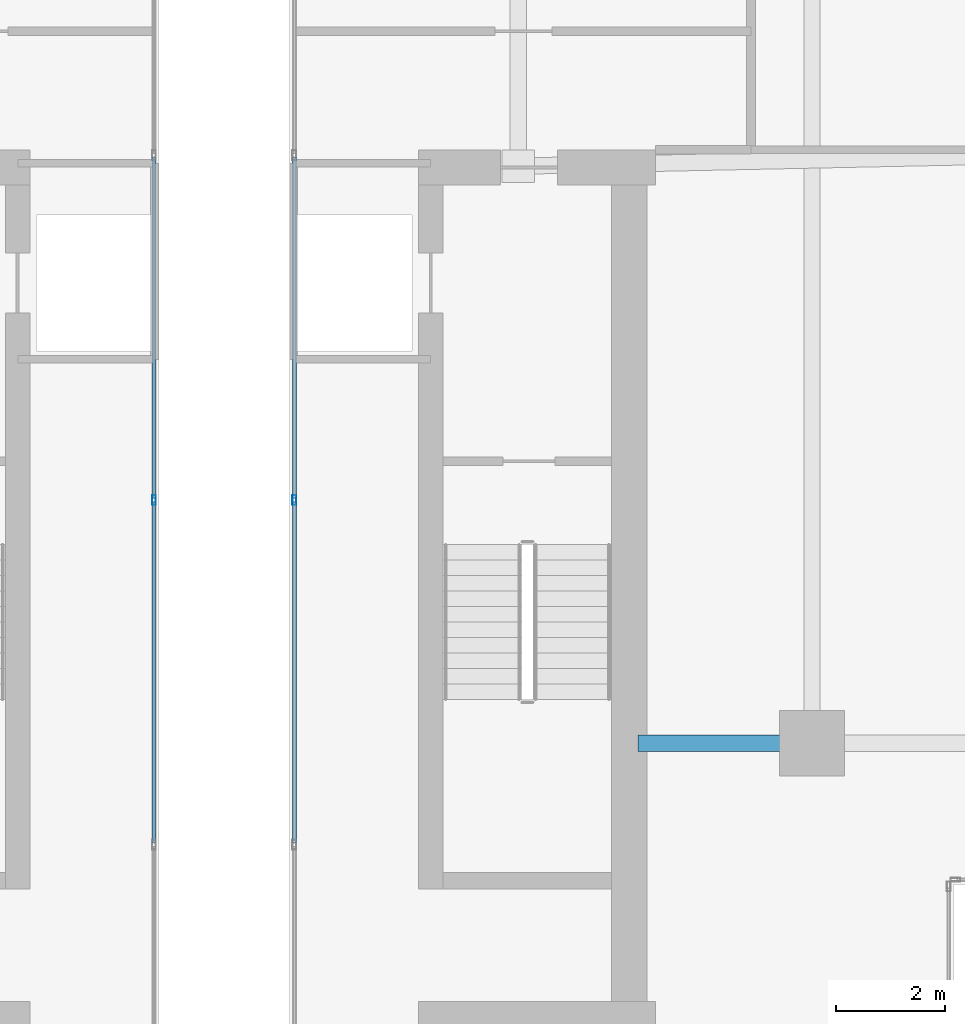
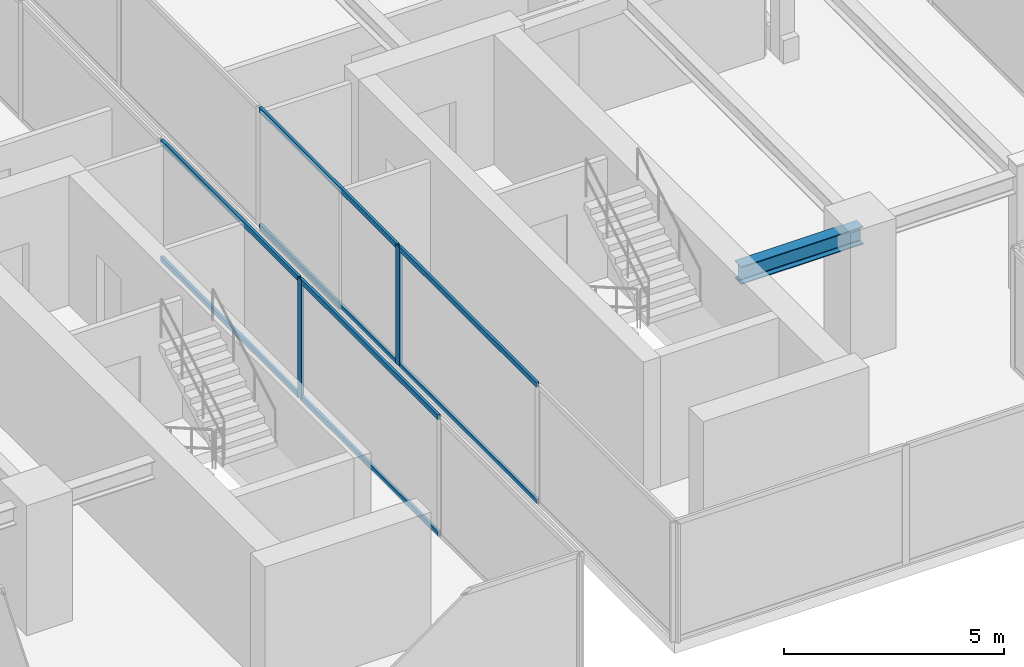
# One storey, part 6 of 25: 10 members, 1 beam, 2 elements without a shape of their own.
"""IFC4 building model written with IfcOpenShell, lengths in metres."""

from ifc_helpers import new_model, si_unit, direction, frame, origin, origin_2d, place, context, subcontext, project, spatial, hollow_rectangle, i_section, extrude, source, transform, mapped, material, material_profile, profile_set, type_object, type_shapes, element, aggregate, save


model = new_model("IFC4")

# Units and contexts
model_context = context("Model", 3, precision=1e-05, world=origin(), true_north=direction((0.0, 1.0)))
body_context = subcontext(model_context, "Body", "Model", "MODEL_VIEW")
ifc_project = project(units=[si_unit("LENGTHUNIT", "METRE"), si_unit("AREAUNIT", "SQUARE_METRE"), si_unit("VOLUMEUNIT", "CUBIC_METRE"), si_unit("PLANEANGLEUNIT", "RADIAN"), si_unit("MASSUNIT", "GRAM", prefix="KILO")], contexts=[model_context])

# Site, building, storey
site_placement = place(None, origin())
site = spatial("IfcSite", under=ifc_project, at=site_placement, CompositionType="ELEMENT")
building_placement = place(site_placement, origin())
building = spatial("IfcBuilding", under=site, at=building_placement, Name="Krantzveldt Concourse Tower", CompositionType="ELEMENT")
storey_placement = place(building_placement, frame((0.0, 0.0, 374.64990234375)))
storey = spatial("IfcBuildingStorey", under=building, at=storey_placement, Name="L92", CompositionType="ELEMENT", Elevation=374.64990234375)

# Beam
ifc_material_1 = material(Name="Steel S355JR", Category="steel")
ifc_material_profile_1 = material_profile(ifc_material_1, i_section(OverallWidth=0.300048828125, OverallDepth=0.489990234375, WebThickness=0.011962890625, FlangeThickness=0.02294921875, FilletRadius=0.027099609375, at=origin_2d()), Name="Steel S355JR", Category="steel")
ifc_profile_set_1 = profile_set([ifc_material_profile_1], Name="Steel S355JR - HEA 500")
beam_type = type_object("IfcBeamType", Name="BM-B-HEA500", PredefinedType="BEAM", material=ifc_profile_set_1)
shared_shape_1 = source(origin(), body_context, "Body", "SweptSolid", [
    extrude(i_section(OverallWidth=0.300048828125, OverallDepth=0.489990234375, WebThickness=0.011962890625, FlangeThickness=0.02294921875, FilletRadius=0.027099609375, at=origin_2d()), origin(), (0.0, 0.0, 1.0), 3.199951171875),
])
type_shapes(beam_type, [shared_shape_1])
beam_placement = place(storey_placement, frame((46.800048828125, 15.89990234375, 3.05517578125), z_axis=(-1.0, 0.0, 0.0), x_axis=(0.0, -1.0, 0.0)))
element("IfcBeam", 1, at=beam_placement, inside=storey, type_object=beam_type, Name="L92 Crown Girder EAST-7", PredefinedType="BEAM", context=body_context, shape_type="MappedRepresentation", body=[
    mapped(shared_shape_1, transform((0.0, 0.0, 0.0), x_axis=(1.0, 0.0, 0.0), y_axis=(0.0, 1.0, 0.0), z_axis=(0.0, 0.0, 1.0), scale=1.0)),
])

# Curtain wall, members
ifc_material_2 = material(Name="Anodised aluminium 6063-T6", Category="aluminium")
curtain_wall_type = type_object("IfcCurtainWallType", Name="CW7", PredefinedType="USERDEFINED", material=ifc_material_2)
curtain_wall_1_placement = place(storey_placement, origin())
curtain_wall_1 = element("IfcCurtainWall", 2, at=curtain_wall_1_placement, inside=storey, type_object=curtain_wall_type, Name="CW-L92-WEST-01", ObjectType="UNITISED CURTAIN WALL", PredefinedType="USERDEFINED")
ifc_material_profile_2 = material_profile(ifc_material_2, hollow_rectangle(XDim=0.070068359375, YDim=0.139892578125, WallThickness=0.0048828125, at=origin_2d()), Name="Anodised aluminium 6063-T6", Category="aluminium")
ifc_profile_set_2 = profile_set([ifc_material_profile_2], Name="Anodised aluminium 6063-T6 - ALU-TRAN 140x70x5")
member_type_1 = type_object("IfcMemberType", Name="CW-TRN-150", PredefinedType="USERDEFINED", material=ifc_profile_set_2)
shared_shape_2 = source(origin(), body_context, "Body", "SweptSolid", [
    extrude(hollow_rectangle(XDim=0.070068359375, YDim=0.139892578125, WallThickness=0.0048828125, at=origin_2d()), origin(), (0.0, 0.0, 1.0), 6.263427734375),
])
type_shapes(member_type_1, [shared_shape_2])
member_1_placement = place(storey_placement, frame((34.7099609375, 14.068359375, 0.03515625), z_axis=(0.0, 1.0, 0.0), x_axis=(-1.0, 0.0, 0.0)))
member_1 = element("IfcMember", 3, at=member_1_placement, type_object=member_type_1, Name="CW-CRN transom 2.1", ObjectType="TRANSOM", PredefinedType="USERDEFINED", context=body_context, shape_type="MappedRepresentation", body=[
    mapped(shared_shape_2, transform((0.0, 0.0, 0.0), x_axis=(1.0, 0.0, 0.0), y_axis=(0.0, 1.0, 0.0), z_axis=(0.0, 0.0, 1.0), scale=1.0)),
])
member_2_placement = place(storey_placement, frame((34.7099609375, 14.068359375, 3.26513671875), z_axis=(0.0, 1.0, 0.0), x_axis=(-1.0, 0.0, 0.0)))
member_2 = element("IfcMember", 4, at=member_2_placement, type_object=member_type_1, Name="CW-CRN transom 2.2", ObjectType="TRANSOM", PredefinedType="USERDEFINED", context=body_context, shape_type="MappedRepresentation", body=[
    mapped(shared_shape_2, transform((0.0, 0.0, 0.0), x_axis=(1.0, 0.0, 0.0), y_axis=(0.0, 1.0, 0.0), z_axis=(0.0, 0.0, 1.0), scale=1.0)),
])
member_3_placement = place(storey_placement, frame((34.7099609375, 20.401611328125, 0.03515625), z_axis=(0.0, 1.0, 0.0), x_axis=(-1.0, 0.0, 0.0)))
member_3 = element("IfcMember", 5, at=member_3_placement, type_object=member_type_1, Name="CW-CRN transom 3.1", ObjectType="TRANSOM", PredefinedType="USERDEFINED", context=body_context, shape_type="MappedRepresentation", body=[
    mapped(shared_shape_2, transform((0.0, 0.0, 0.0), x_axis=(1.0, 0.0, 0.0), y_axis=(0.0, 1.0, 0.0), z_axis=(0.0, 0.0, 1.0), scale=1.0)),
])
member_4_placement = place(storey_placement, frame((34.7099609375, 20.401611328125, 3.26513671875), z_axis=(0.0, 1.0, 0.0), x_axis=(-1.0, 0.0, 0.0)))
member_4 = element("IfcMember", 6, at=member_4_placement, type_object=member_type_1, Name="CW-CRN transom 3.2", ObjectType="TRANSOM", PredefinedType="USERDEFINED", context=body_context, shape_type="MappedRepresentation", body=[
    mapped(shared_shape_2, transform((0.0, 0.0, 0.0), x_axis=(1.0, 0.0, 0.0), y_axis=(0.0, 1.0, 0.0), z_axis=(0.0, 0.0, 1.0), scale=1.0)),
])

curtain_wall_2_placement = place(storey_placement, origin())
curtain_wall_2 = element("IfcCurtainWall", 7, at=curtain_wall_2_placement, inside=storey, type_object=curtain_wall_type, Name="CW-L92-EAST-07", ObjectType="UNITISED CURTAIN WALL", PredefinedType="USERDEFINED")
member_5_placement = place(storey_placement, frame((37.2900390625, 26.6650390625, 0.03515625), z_axis=(0.0, -1.0, 0.0), x_axis=(1.0, 0.0, 0.0)))
member_5 = element("IfcMember", 8, at=member_5_placement, type_object=member_type_1, Name="CW-CRN transom 4.1", ObjectType="TRANSOM", PredefinedType="USERDEFINED", context=body_context, shape_type="MappedRepresentation", body=[
    mapped(shared_shape_2, transform((0.0, 0.0, 0.0), x_axis=(1.0, 0.0, 0.0), y_axis=(0.0, 1.0, 0.0), z_axis=(0.0, 0.0, 1.0), scale=1.0)),
])
member_6_placement = place(storey_placement, frame((37.2900390625, 26.6650390625, 3.26513671875), z_axis=(0.0, -1.0, 0.0), x_axis=(1.0, 0.0, 0.0)))
member_6 = element("IfcMember", 9, at=member_6_placement, type_object=member_type_1, Name="CW-CRN transom 4.2", ObjectType="TRANSOM", PredefinedType="USERDEFINED", context=body_context, shape_type="MappedRepresentation", body=[
    mapped(shared_shape_2, transform((0.0, 0.0, 0.0), x_axis=(1.0, 0.0, 0.0), y_axis=(0.0, 1.0, 0.0), z_axis=(0.0, 0.0, 1.0), scale=1.0)),
])
member_7_placement = place(storey_placement, frame((37.2900390625, 20.331787109375, 0.03515625), z_axis=(0.0, -1.0, 0.0), x_axis=(1.0, 0.0, 0.0)))
member_7 = element("IfcMember", 10, at=member_7_placement, type_object=member_type_1, Name="CW-CRN transom 5.1", ObjectType="TRANSOM", PredefinedType="USERDEFINED", context=body_context, shape_type="MappedRepresentation", body=[
    mapped(shared_shape_2, transform((0.0, 0.0, 0.0), x_axis=(1.0, 0.0, 0.0), y_axis=(0.0, 1.0, 0.0), z_axis=(0.0, 0.0, 1.0), scale=1.0)),
])
member_8_placement = place(storey_placement, frame((37.2900390625, 20.331787109375, 3.26513671875), z_axis=(0.0, -1.0, 0.0), x_axis=(1.0, 0.0, 0.0)))
member_8 = element("IfcMember", 11, at=member_8_placement, type_object=member_type_1, Name="CW-CRN transom 5.2", ObjectType="TRANSOM", PredefinedType="USERDEFINED", context=body_context, shape_type="MappedRepresentation", body=[
    mapped(shared_shape_2, transform((0.0, 0.0, 0.0), x_axis=(1.0, 0.0, 0.0), y_axis=(0.0, 1.0, 0.0), z_axis=(0.0, 0.0, 1.0), scale=1.0)),
])

# Member
ifc_material_profile_3 = material_profile(ifc_material_2, hollow_rectangle(XDim=0.070068359375, YDim=0.179931640625, WallThickness=0.0048828125, at=origin_2d()), Name="Anodised aluminium 6063-T6", Category="aluminium")
ifc_profile_set_3 = profile_set([ifc_material_profile_3], Name="Anodised aluminium 6063-T6 - ALU-MULL 180x70x5")
member_type_2 = type_object("IfcMemberType", Name="CW-MUL-180", PredefinedType="MULLION", material=ifc_profile_set_3)
shared_shape_3 = source(origin(), body_context, "Body", "SweptSolid", [
    extrude(hollow_rectangle(XDim=0.070068359375, YDim=0.179931640625, WallThickness=0.0048828125, at=origin_2d()), origin(), (0.0, 0.0, 1.0), 3.300048828125),
])
type_shapes(member_type_2, [shared_shape_3])
member_9_placement = place(storey_placement, frame((34.7099609375, 20.36669921875, 0.0), z_axis=(0.0, 0.0, 1.0), x_axis=(-1.0, 0.0, 0.0)))
member_9 = element("IfcMember", 12, at=member_9_placement, type_object=member_type_2, Name="CW-CRN mullion 3", PredefinedType="MULLION", context=body_context, shape_type="MappedRepresentation", body=[
    mapped(shared_shape_3, transform((0.0, 0.0, 0.0), x_axis=(1.0, 0.0, 0.0), y_axis=(0.0, 1.0, 0.0), z_axis=(0.0, 0.0, 1.0), scale=1.0)),
])

aggregate(curtain_wall_1, [member_9, member_1, member_2, member_3, member_4])

member_10_placement = place(storey_placement, frame((37.2900390625, 20.36669921875, 0.0), z_axis=(0.0, 0.0, 1.0), x_axis=(1.0, 0.0, 0.0)))
member_10 = element("IfcMember", 13, at=member_10_placement, type_object=member_type_2, Name="CW-CRN mullion 5", PredefinedType="MULLION", context=body_context, shape_type="MappedRepresentation", body=[
    mapped(shared_shape_3, transform((0.0, 0.0, 0.0), x_axis=(1.0, 0.0, 0.0), y_axis=(0.0, 1.0, 0.0), z_axis=(0.0, 0.0, 1.0), scale=1.0)),
])

aggregate(curtain_wall_2, [member_10, member_5, member_6, member_7, member_8])

save(model, "model.ifc")
